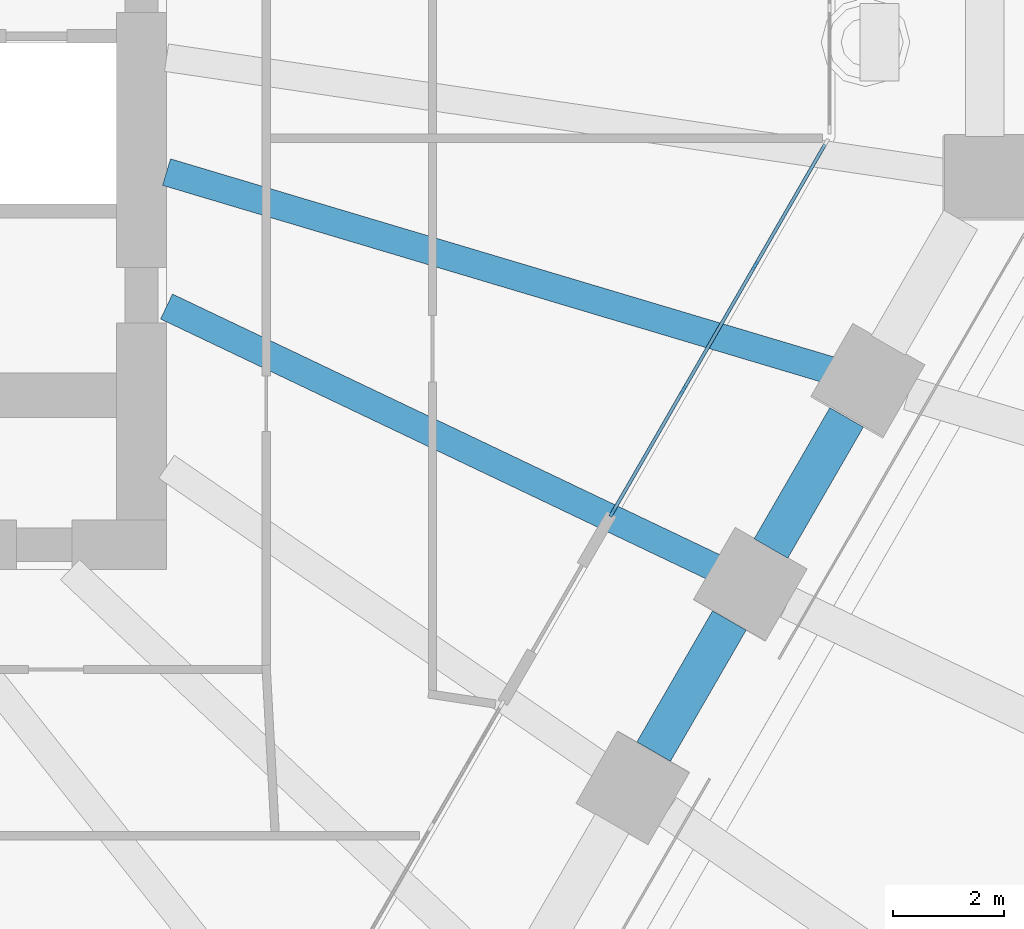
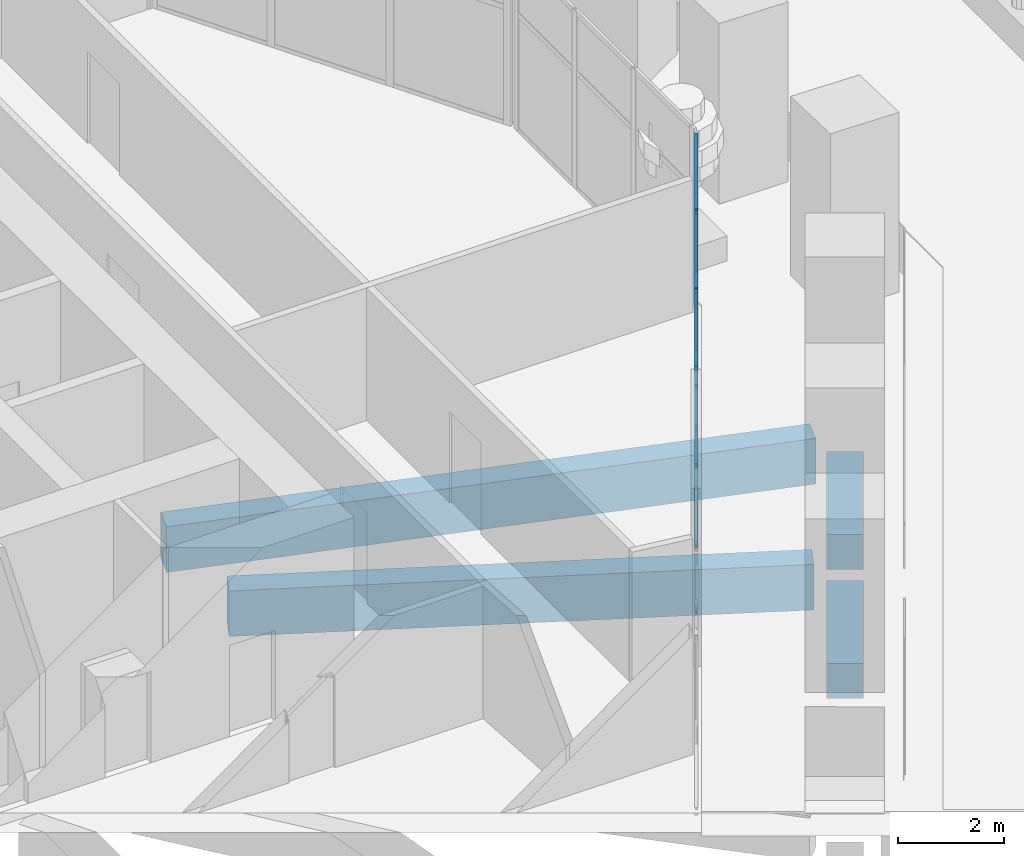
# One storey, part 9 of 32: 12 members, 4 beams, 1 element without a shape of its own.
"""IFC4 building model written with IfcOpenShell, lengths in metres."""

from ifc_helpers import new_model, si_unit, direction, frame, origin, origin_2d, place, context, subcontext, project, spatial, rectangle, extrude, material, material_profile, profile_set, type_object, element, aggregate, save


model = new_model("IFC4")

# Units and contexts
model_context = context("Model", 3, precision=1e-05, world=origin(), true_north=direction((0.0, 1.0)))
body_context = subcontext(model_context, "Body", "Model", "MODEL_VIEW")
ifc_project = project(units=[si_unit("LENGTHUNIT", "METRE"), si_unit("AREAUNIT", "SQUARE_METRE"), si_unit("VOLUMEUNIT", "CUBIC_METRE"), si_unit("PLANEANGLEUNIT", "RADIAN"), si_unit("MASSUNIT", "GRAM", prefix="KILO")], contexts=[model_context])

# Site, building, storey
site_placement = place(None, origin())
site = spatial("IfcSite", under=ifc_project, at=site_placement, CompositionType="ELEMENT")
building_placement = place(site_placement, origin())
building = spatial("IfcBuilding", under=site, at=building_placement, Name="Frailejon Research Tower", CompositionType="ELEMENT")
storey_placement = place(building_placement, frame((0.0, 0.0, 14.60009765625)))
storey = spatial("IfcBuildingStorey", under=building, at=storey_placement, Name="L03", CompositionType="ELEMENT", Elevation=14.60009765625)

# Curtain wall, members
ifc_material_1 = material(Name="Aluminium curtain wall", Category="aluminium")
curtain_wall_type = type_object("IfcCurtainWallType", Name="Base zone unitised curtain wall system", PredefinedType="NOTDEFINED", material=ifc_material_1)
curtain_wall_placement = place(storey_placement, origin())
curtain_wall = element("IfcCurtainWall", 1, at=curtain_wall_placement, inside=storey, type_object=curtain_wall_type, Name="Curtain wall L03", PredefinedType="NOTDEFINED")
ifc_material_2 = material(Name="Aluminium extrusion", Category="aluminium")
ifc_material_profile_1 = material_profile(ifc_material_2, rectangle(XDim=0.06005859375, YDim=0.159912109375, at=origin_2d()), Name="Base zone unitised curtain wall mullion 60x160")
ifc_profile_set_1 = profile_set([ifc_material_profile_1], Name="Aluminium extrusion")
member_type_1 = type_object("IfcMemberType", Name="Base zone unitised curtain wall mullion 60x160", PredefinedType="MULLION", material=ifc_profile_set_1)
member_1_placement = place(storey_placement, frame((21.696044921875, -10.221435546875, 0.0), z_axis=(0.0, 0.0, 1.0), x_axis=(-0.866029434533, 0.499993018474, 0.0)))
member_1 = element("IfcMember", 2, at=member_1_placement, type_object=member_type_1, Name="CW3-062 mullion 1", PredefinedType="MULLION", context=body_context, shape_type="SweptSolid", body=[
    extrude(rectangle(XDim=0.06005859375, YDim=0.159912109375, at=origin_2d()), origin(), (0.0, 0.0, 1.0), 4.099853515625),
])
member_2_placement = place(storey_placement, frame((22.974853515625, -8.00634765625, 0.0), z_axis=(0.0, 0.0, 1.0), x_axis=(-0.866029434533, 0.499993018474, 0.0)))
member_2 = element("IfcMember", 3, at=member_2_placement, type_object=member_type_1, Name="CW3-062 mullion 2", PredefinedType="MULLION", context=body_context, shape_type="SweptSolid", body=[
    extrude(rectangle(XDim=0.06005859375, YDim=0.159912109375, at=origin_2d()), origin(), (0.0, 0.0, 1.0), 4.099853515625),
])
member_3_placement = place(storey_placement, frame((24.268798828125, -5.76513671875, 0.0), z_axis=(0.0, 0.0, 1.0), x_axis=(-0.866029434533, 0.499993018474, 0.0)))
member_3 = element("IfcMember", 4, at=member_3_placement, type_object=member_type_1, Name="CW3-062 mullion 3", PredefinedType="MULLION", context=body_context, shape_type="SweptSolid", body=[
    extrude(rectangle(XDim=0.06005859375, YDim=0.159912109375, at=origin_2d()), origin(), (0.0, 0.0, 1.0), 4.099853515625),
])
ifc_material_3 = material(Name="Aluminium extrusion", Category="aluminium")
ifc_material_profile_2 = material_profile(ifc_material_3, rectangle(XDim=0.06005859375, YDim=0.1201171875, at=origin_2d()), Name="Base zone unitised curtain wall transom 60x120")
ifc_profile_set_2 = profile_set([ifc_material_profile_2], Name="Aluminium extrusion")
member_type_2 = type_object("IfcMemberType", Name="Base zone unitised curtain wall transom 60x120", PredefinedType="USERDEFINED", material=ifc_profile_set_2)
member_4_placement = place(storey_placement, frame((21.7109375, -10.195556640625, 0.02978515625), z_axis=(0.500007276137, 0.866021202864, 0.0), x_axis=(-0.866021202864, 0.500007276137, 0.0)))
member_4 = element("IfcMember", 5, at=member_4_placement, type_object=member_type_2, Name="CW3-062 transom 1.1", ObjectType="TRANSOM", PredefinedType="USERDEFINED", context=body_context, shape_type="SweptSolid", body=[
    extrude(rectangle(XDim=0.06005859375, YDim=0.1201171875, at=origin_2d()), origin(), (0.0, 0.0, 1.0), 2.498046875),
])
member_5_placement = place(storey_placement, frame((21.7109375, -10.195556640625, 2.699951171875), z_axis=(0.500007276137, 0.866021202864, 0.0), x_axis=(-0.866021202864, 0.500007276137, 0.0)))
member_5 = element("IfcMember", 6, at=member_5_placement, type_object=member_type_2, Name="CW3-062 transom 1.2", ObjectType="TRANSOM", PredefinedType="USERDEFINED", context=body_context, shape_type="SweptSolid", body=[
    extrude(rectangle(XDim=0.06005859375, YDim=0.1201171875, at=origin_2d()), origin(), (0.0, 0.0, 1.0), 2.498046875),
])
member_6_placement = place(storey_placement, frame((21.7109375, -10.195556640625, 4.06982421875), z_axis=(0.500007276137, 0.866021202864, 0.0), x_axis=(-0.866021202864, 0.500007276137, 0.0)))
member_6 = element("IfcMember", 7, at=member_6_placement, type_object=member_type_2, Name="CW3-062 transom 1.3", ObjectType="TRANSOM", PredefinedType="USERDEFINED", context=body_context, shape_type="SweptSolid", body=[
    extrude(rectangle(XDim=0.06005859375, YDim=0.1201171875, at=origin_2d()), origin(), (0.0, 0.0, 1.0), 2.498046875),
])
member_7_placement = place(storey_placement, frame((22.989990234375, -7.980224609375, 0.02978515625), z_axis=(0.499992766374, 0.86602958008, 0.0), x_axis=(-0.86602958008, 0.499992766374, 0.0)))
member_7 = element("IfcMember", 8, at=member_7_placement, type_object=member_type_2, Name="CW3-062 transom 2.1", ObjectType="TRANSOM", PredefinedType="USERDEFINED", context=body_context, shape_type="SweptSolid", body=[
    extrude(rectangle(XDim=0.06005859375, YDim=0.1201171875, at=origin_2d()), origin(), (0.0, 0.0, 1.0), 2.52783203125),
])
member_8_placement = place(storey_placement, frame((22.989990234375, -7.980224609375, 2.699951171875), z_axis=(0.499992766374, 0.86602958008, 0.0), x_axis=(-0.86602958008, 0.499992766374, 0.0)))
member_8 = element("IfcMember", 9, at=member_8_placement, type_object=member_type_2, Name="CW3-062 transom 2.2", ObjectType="TRANSOM", PredefinedType="USERDEFINED", context=body_context, shape_type="SweptSolid", body=[
    extrude(rectangle(XDim=0.06005859375, YDim=0.1201171875, at=origin_2d()), origin(), (0.0, 0.0, 1.0), 2.52783203125),
])
member_9_placement = place(storey_placement, frame((22.989990234375, -7.980224609375, 4.06982421875), z_axis=(0.499992766374, 0.86602958008, 0.0), x_axis=(-0.86602958008, 0.499992766374, 0.0)))
member_9 = element("IfcMember", 10, at=member_9_placement, type_object=member_type_2, Name="CW3-062 transom 2.3", ObjectType="TRANSOM", PredefinedType="USERDEFINED", context=body_context, shape_type="SweptSolid", body=[
    extrude(rectangle(XDim=0.06005859375, YDim=0.1201171875, at=origin_2d()), origin(), (0.0, 0.0, 1.0), 2.52783203125),
])
member_10_placement = place(storey_placement, frame((24.283935546875, -5.739013671875, 0.02978515625), z_axis=(0.499976292358, 0.866039090965, 0.0), x_axis=(-0.866039090965, 0.499976292358, 0.0)))
member_10 = element("IfcMember", 11, at=member_10_placement, type_object=member_type_2, Name="CW3-062 transom 3.1", ObjectType="TRANSOM", PredefinedType="USERDEFINED", context=body_context, shape_type="SweptSolid", body=[
    extrude(rectangle(XDim=0.06005859375, YDim=0.1201171875, at=origin_2d()), origin(), (0.0, 0.0, 1.0), 2.49755859375),
])
member_11_placement = place(storey_placement, frame((24.283935546875, -5.739013671875, 2.699951171875), z_axis=(0.499976292358, 0.866039090965, 0.0), x_axis=(-0.866039090965, 0.499976292358, 0.0)))
member_11 = element("IfcMember", 12, at=member_11_placement, type_object=member_type_2, Name="CW3-062 transom 3.2", ObjectType="TRANSOM", PredefinedType="USERDEFINED", context=body_context, shape_type="SweptSolid", body=[
    extrude(rectangle(XDim=0.06005859375, YDim=0.1201171875, at=origin_2d()), origin(), (0.0, 0.0, 1.0), 2.49755859375),
])
member_12_placement = place(storey_placement, frame((24.283935546875, -5.739013671875, 4.06982421875), z_axis=(0.499976292358, 0.866039090965, 0.0), x_axis=(-0.866039090965, 0.499976292358, 0.0)))
member_12 = element("IfcMember", 13, at=member_12_placement, type_object=member_type_2, Name="CW3-062 transom 3.3", ObjectType="TRANSOM", PredefinedType="USERDEFINED", context=body_context, shape_type="SweptSolid", body=[
    extrude(rectangle(XDim=0.06005859375, YDim=0.1201171875, at=origin_2d()), origin(), (0.0, 0.0, 1.0), 2.49755859375),
])
aggregate(curtain_wall, [member_1, member_2, member_3, member_4, member_5, member_6, member_7, member_8, member_9, member_10, member_11, member_12])

# Beams
ifc_material_4 = material(Name="Concrete C60/75", Category="concrete")
ifc_material_profile_3 = material_profile(ifc_material_4, rectangle(XDim=0.5, YDim=1.050048828125, at=origin_2d()), Name="Girder 500x1050")
ifc_profile_set_3 = profile_set([ifc_material_profile_3], Name="Concrete C60/75")
beam_type_1 = type_object("IfcBeamType", Name="Girder 500x1050", PredefinedType="BEAM", material=ifc_profile_set_3)
beam_1_placement = place(storey_placement, frame((23.63720703125, -11.258544921875, -0.8251953125), z_axis=(-0.902826248809, 0.430005540036, 0.0), x_axis=(-0.430005540036, -0.902826248809, 0.0)))
element("IfcBeam", 14, at=beam_1_placement, inside=storey, type_object=beam_type_1, Name="Girder 500x1050", PredefinedType="BEAM", context=body_context, shape_type="SweptSolid", body=[
    extrude(rectangle(XDim=0.5, YDim=1.050048828125, at=origin_2d()), origin(), (0.0, 0.0, 1.0), 11.062255859375),
])
beam_2_placement = place(storey_placement, frame((25.701904296875, -7.6748046875, -0.8251953125), z_axis=(-0.958191455721, 0.286127828396, 0.0), x_axis=(-0.286127828396, -0.958191455721, 0.0)))
element("IfcBeam", 15, at=beam_2_placement, inside=storey, type_object=beam_type_1, Name="Girder 500x1050", PredefinedType="BEAM", context=body_context, shape_type="SweptSolid", body=[
    extrude(rectangle(XDim=0.5, YDim=1.050048828125, at=origin_2d()), origin(), (0.0, 0.0, 1.0), 12.577880859375),
])
ifc_material_5 = material(Name="Concrete C60/75", Category="concrete")
ifc_material_profile_4 = material_profile(ifc_material_5, rectangle(XDim=0.699951171875, YDim=0.800048828125, at=origin_2d()), Name="Spandrel 700x800")
ifc_profile_set_4 = profile_set([ifc_material_profile_4], Name="Concrete C60/75")
beam_type_2 = type_object("IfcBeamType", Name="Spandrel 700x800", PredefinedType="BEAM", material=ifc_profile_set_4)
for number, where, z_axis, x_axis, name in (
    (16, (22.43994140625, -14.532958984375, -0.75), (0.499993199895, 0.866029329791, 0.0), (-0.866029329791, 0.499993199895, 0.0), "Spandrel 700x800"),
    (17, (24.555908203125, -10.867919921875, -0.75), (0.499993199895, 0.866029329791, 0.0), (-0.866029329791, 0.499993199895, 0.0), "Spandrel 700x800"),
):
    element("IfcBeam", number, at=place(storey_placement, frame(where, z_axis=z_axis, x_axis=x_axis)), inside=storey, type_object=beam_type_2, Name=name, PredefinedType="BEAM", context=body_context, shape_type="SweptSolid", body=[
        extrude(rectangle(XDim=0.699951171875, YDim=0.800048828125, at=origin_2d()), origin(), (0.0, 0.0, 1.0), 2.73193359375),
    ])

save(model, "model.ifc")
